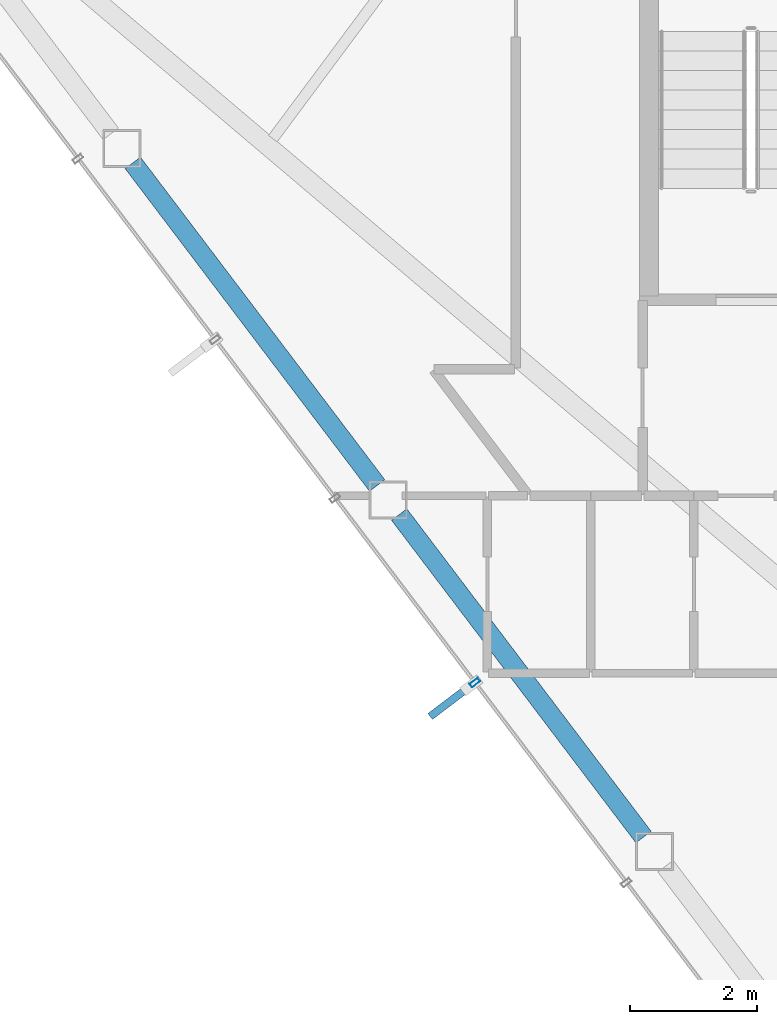
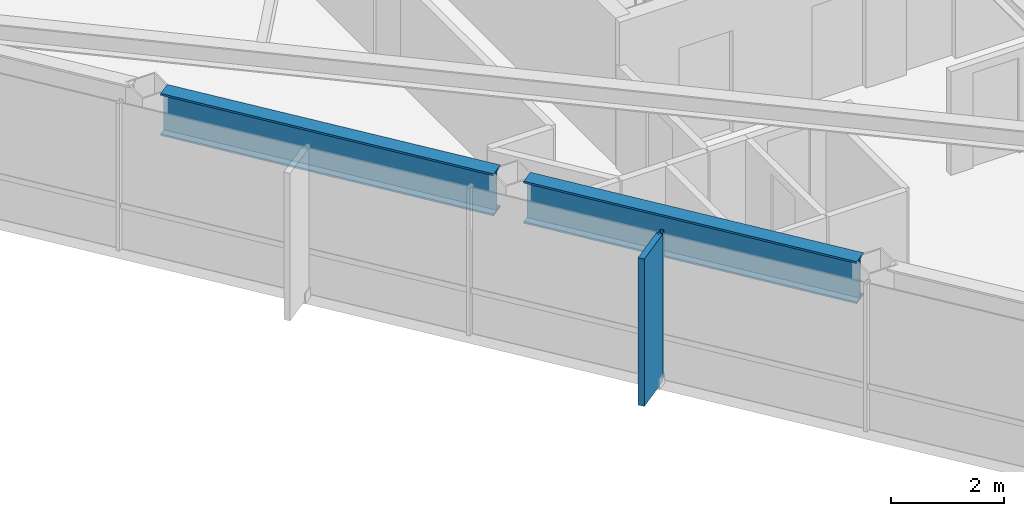
# One storey, part 3 of 27: 2 beams, 2 members, 1 element without a shape of its own.
"""IFC4 building model written with IfcOpenShell, lengths in metres."""

from ifc_helpers import new_model, si_unit, direction, frame, origin, origin_2d, place, context, subcontext, project, spatial, rectangle, hollow_rectangle, i_section, extrude, material, layer, layer_set, material_profile, profile_set, type_object, element, aggregate, save


model = new_model("IFC4")

# Units and contexts
model_context = context("Model", 3, precision=1e-05, world=origin(), true_north=direction((0.0, 1.0)))
body_context = subcontext(model_context, "Body", "Model", "MODEL_VIEW")
ifc_project = project(units=[si_unit("LENGTHUNIT", "METRE"), si_unit("AREAUNIT", "SQUARE_METRE"), si_unit("VOLUMEUNIT", "CUBIC_METRE"), si_unit("PLANEANGLEUNIT", "RADIAN"), si_unit("MASSUNIT", "GRAM", prefix="KILO")], contexts=[model_context])

# Site, building, storey
site_placement = place(None, origin())
site = spatial("IfcSite", under=ifc_project, at=site_placement, CompositionType="ELEMENT")
building_placement = place(site_placement, origin())
building = spatial("IfcBuilding", under=site, at=building_placement, Name="Zarrinselat Tower", CompositionType="ELEMENT")
storey_placement = place(building_placement, frame((0.0, 0.0, 232.56005859375)))
storey = spatial("IfcBuildingStorey", under=building, at=storey_placement, Name="L58", CompositionType="ELEMENT", Elevation=232.56005859375)

# Beams
ifc_material_1 = material(Name="Steel S460M", Category="steel")
ifc_material_profile_1 = material_profile(ifc_material_1, i_section(OverallWidth=0.302001953125, OverallDepth=0.909912109375, WebThickness=0.02099609375, FlangeThickness=0.0400390625, at=origin_2d()), Name="HEM 900")
ifc_profile_set_1 = profile_set([ifc_material_profile_1], Name="Steel S460M")
beam_type = type_object("IfcBeamType", Name="BM-HEM900", PredefinedType="BEAM", material=ifc_profile_set_1)
for number, where, z_axis, x_axis, name in (
    (1, (20.504638671875, 35.402587890625, 2.724853515625), (0.60388933811, -0.797068169806, 0.0), (0.797068169806, 0.60388933811, 0.0), "L58 Perimeter Spandrel Girder SP07"),
    (2, (24.708740234375, 29.853271484375, 2.724853515625), (0.603846647115, -0.797100512337, 0.0), (0.797100512337, 0.603846647115, 0.0), "L58 Perimeter Spandrel Girder SP08"),
):
    element("IfcBeam", number, at=place(storey_placement, frame(where, z_axis=z_axis, x_axis=x_axis)), inside=storey, type_object=beam_type, Name=name, PredefinedType="BEAM", context=body_context, shape_type="SweptSolid", body=[
        extrude(i_section(OverallWidth=0.302001953125, OverallDepth=0.909912109375, WebThickness=0.02099609375, FlangeThickness=0.0400390625, at=origin_2d()), origin(), (0.0, 0.0, 1.0), 6.385986328125),
    ])

# Curtain wall, members
ifc_material_2 = material(Name="Extruded Aluminium Alloy EN AW-6063 T6", Category="aluminium")
ifc_layer = layer(ifc_material_2, 0.169921875)
ifc_layer_set = layer_set([ifc_layer], Name="Extruded Aluminium Alloy EN AW-6063 T6")
curtain_wall_type = type_object("IfcCurtainWallType", Name="CWS-RES", PredefinedType="NOTDEFINED", material=ifc_layer_set)
curtain_wall_placement = place(storey_placement, origin())
curtain_wall = element("IfcCurtainWall", 3, at=curtain_wall_placement, inside=storey, type_object=curtain_wall_type, Name="L58 Unitised Curtain Wall CW-L58-E03", PredefinedType="NOTDEFINED")
ifc_material_3 = material(Name="Extruded Aluminium Alloy EN AW-6063 T6", Category="aluminium")
ifc_material_profile_2 = material_profile(ifc_material_3, hollow_rectangle(XDim=0.070068359375, YDim=0.159912109375, WallThickness=0.00390625, at=origin_2d()), Name="RHS 160x70x4")
ifc_profile_set_2 = profile_set([ifc_material_profile_2], Name="Extruded Aluminium Alloy EN AW-6063 T6")
member_type_1 = type_object("IfcMemberType", Name="MEM-CW-MUL2", PredefinedType="MULLION", material=ifc_profile_set_2)
member_1_placement = place(storey_placement, frame((25.90283203125, 27.20068359375, 0.0), z_axis=(0.0, 0.0, 1.0), x_axis=(0.603857419315, -0.7970923517, 0.0)))
member_1 = element("IfcMember", 4, at=member_1_placement, type_object=member_type_1, Name="CW-L58-E03 Mullion 5", PredefinedType="MULLION", context=body_context, shape_type="SweptSolid", body=[
    extrude(hollow_rectangle(XDim=0.070068359375, YDim=0.159912109375, WallThickness=0.00390625, at=origin_2d()), origin(), (0.0, 0.0, 1.0), 3.179931640625),
])
ifc_material_4 = material(Name="Honed Cream Travertine Stone", Category="masonry")
ifc_material_profile_3 = material_profile(ifc_material_4, rectangle(XDim=0.1201171875, YDim=0.85009765625, at=origin_2d()), Name="FIN 850x120")
ifc_profile_set_3 = profile_set([ifc_material_profile_3], Name="Honed Cream Travertine Stone")
member_type_2 = type_object("IfcMemberType", Name="MEM-STONE-FIN", PredefinedType="USERDEFINED", material=ifc_profile_set_3)
member_2_placement = place(storey_placement, frame((25.5361328125, 26.9228515625, 0.0), z_axis=(0.0, 0.0, 1.0), x_axis=(-0.603857419315, 0.7970923517, 0.0)))
member_2 = element("IfcMember", 5, at=member_2_placement, type_object=member_type_2, Name="L58 Stone Shading Fin CW-L58-E03-05", ObjectType="FIN", PredefinedType="USERDEFINED", context=body_context, shape_type="SweptSolid", body=[
    extrude(rectangle(XDim=0.1201171875, YDim=0.85009765625, at=origin_2d()), origin(), (0.0, 0.0, 1.0), 3.179931640625),
])
aggregate(curtain_wall, [member_1, member_2])

save(model, "model.ifc")
